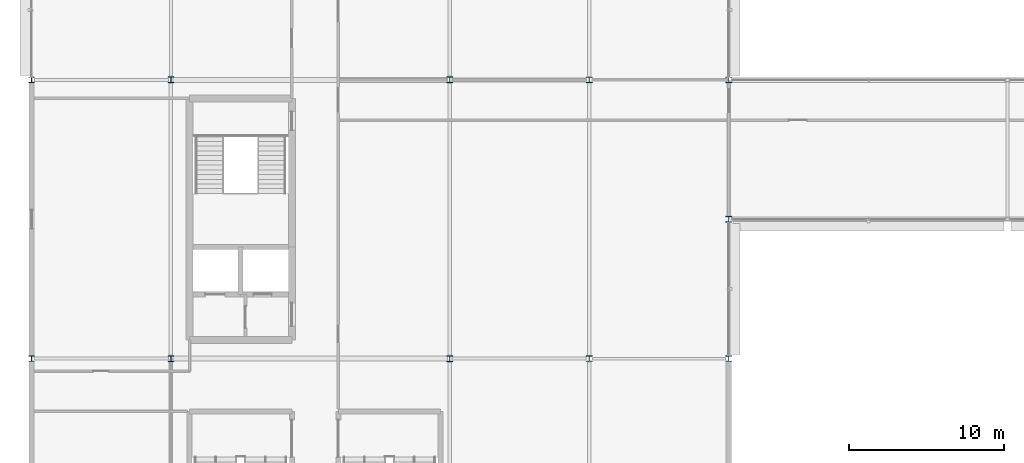
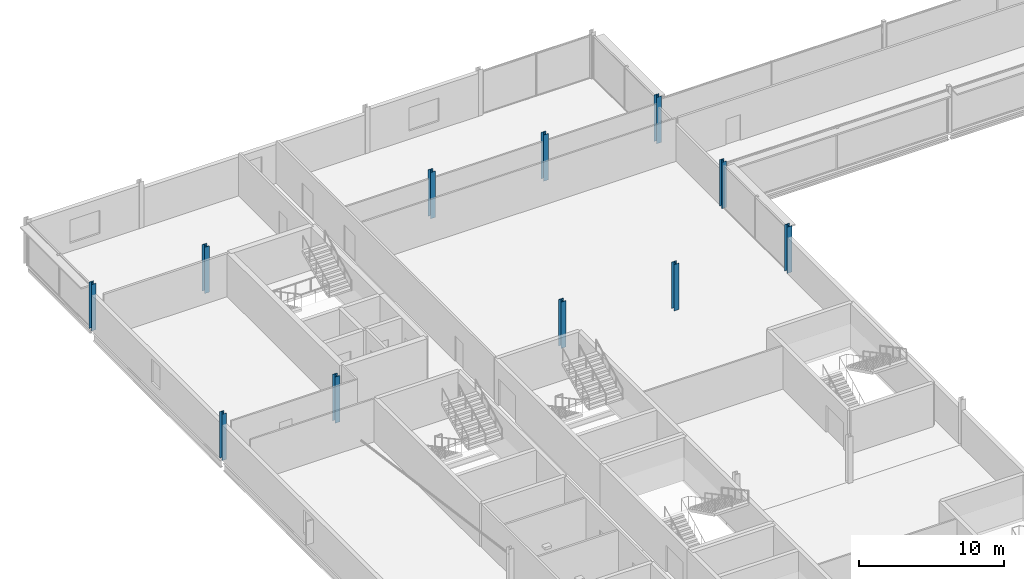
# One storey, part 5 of 98: 11 columns.
"""IFC4 building model written with IfcOpenShell, lengths in metres."""

from ifc_helpers import new_model, si_unit, direction, frame, origin, origin_2d, place, context, subcontext, project, spatial, i_section, extrude, material, material_profile, profile_set, type_object, element, save


model = new_model("IFC4")

# Units and contexts
model_context = context("Model", 3, precision=1e-05, world=origin(), true_north=direction((0.0, 1.0)))
body_context = subcontext(model_context, "Body", "Model", "MODEL_VIEW")
ifc_project = project(units=[si_unit("LENGTHUNIT", "METRE"), si_unit("AREAUNIT", "SQUARE_METRE"), si_unit("VOLUMEUNIT", "CUBIC_METRE"), si_unit("PLANEANGLEUNIT", "RADIAN"), si_unit("MASSUNIT", "GRAM", prefix="KILO")], contexts=[model_context])

# Site, building, storey
site_placement = place(None, origin())
site = spatial("IfcSite", under=ifc_project, at=site_placement, CompositionType="ELEMENT")
building_placement = place(site_placement, origin())
building = spatial("IfcBuilding", under=site, at=building_placement, Name="Kisiwana Market Hall", CompositionType="ELEMENT")
storey_placement = place(building_placement, frame((0.0, 0.0, 29.39990234375)))
storey = spatial("IfcBuildingStorey", under=building, at=storey_placement, Name="L06", CompositionType="ELEMENT", Elevation=29.39990234375)

# Columns
ifc_material_1 = material(Name="Steel S355", Category="steel")
ifc_material_profile_1 = material_profile(ifc_material_1, i_section(OverallWidth=0.37060546875, OverallDepth=0.362060546875, WebThickness=0.01220703125, FlangeThickness=0.020751953125, at=origin_2d()), Name="UC 356x368x153")
ifc_profile_set_1 = profile_set([ifc_material_profile_1], Name="Steel S355")
column_type_1 = type_object("IfcColumnType", Name="COL-STL-UC153", PredefinedType="COLUMN", material=ifc_profile_set_1)
for number, where, z_axis, x_axis, name in (
    (1, (0.0, 84.0, 0.0), (0.0, 0.0, 1.0), (1.0, 0.0, 0.0), "Column L/1 (L06) C-0980"),
    (2, (0.0, 102.0, 0.0), (0.0, 0.0, 1.0), (1.0, 0.0, 0.0), "Column N/1 (L06) C-0981"),
    (3, (36.0, 84.0, 0.0), (0.0, 0.0, 1.0), (1.0, 0.0, 0.0), "Column L/5 (L06) C-0999"),
    (4, (36.0, 102.0, 0.0), (0.0, 0.0, 1.0), (1.0, 0.0, 0.0), "Column N/5 (L06) C-1000"),
    (5, (45.0, 84.0, 0.0), (0.0, 0.0, 1.0), (1.0, 0.0, 0.0), "Column L/6 (L06) C-1007"),
    (6, (45.0, 93.0, 0.0), (0.0, 0.0, 1.0), (1.0, 0.0, 0.0), "Column M/6 (L06) C-1008"),
    (7, (45.0, 102.0, 0.0), (0.0, 0.0, 1.0), (1.0, 0.0, 0.0), "Column N/6 (L06) C-1009"),
):
    element("IfcColumn", number, at=place(storey_placement, frame(where, z_axis=z_axis, x_axis=x_axis)), inside=storey, type_object=column_type_1, Name=name, PredefinedType="COLUMN", context=body_context, shape_type="SweptSolid", body=[
        extrude(i_section(OverallWidth=0.37060546875, OverallDepth=0.362060546875, WebThickness=0.01220703125, FlangeThickness=0.020751953125, at=origin_2d()), origin(), (0.0, 0.0, 1.0), 3.900146484375),
    ])
ifc_material_2 = material(Name="Steel S355", Category="steel")
ifc_material_profile_2 = material_profile(ifc_material_2, i_section(OverallWidth=0.374755859375, OverallDepth=0.37451171875, WebThickness=0.0166015625, FlangeThickness=0.027099609375, at=origin_2d()), Name="UC 356x368x202")
ifc_profile_set_2 = profile_set([ifc_material_profile_2], Name="Steel S355")
column_type_2 = type_object("IfcColumnType", Name="COL-STL-UC202", PredefinedType="COLUMN", material=ifc_profile_set_2)
for number, where, z_axis, x_axis, name in (
    (8, (9.0, 84.0, 0.0), (0.0, 0.0, 1.0), (1.0, 0.0, 0.0), "Column L/2 (L06) C-0986"),
    (9, (9.0, 102.0, 0.0), (0.0, 0.0, 1.0), (1.0, 0.0, 0.0), "Column N/2 (L06) C-0987"),
    (10, (27.0, 84.0, 0.0), (0.0, 0.0, 1.0), (1.0, 0.0, 0.0), "Column L/4 (L06) C-0993"),
    (11, (27.0, 102.0, 0.0), (0.0, 0.0, 1.0), (1.0, 0.0, 0.0), "Column N/4 (L06) C-0994"),
):
    element("IfcColumn", number, at=place(storey_placement, frame(where, z_axis=z_axis, x_axis=x_axis)), inside=storey, type_object=column_type_2, Name=name, PredefinedType="COLUMN", context=body_context, shape_type="SweptSolid", body=[
        extrude(i_section(OverallWidth=0.374755859375, OverallDepth=0.37451171875, WebThickness=0.0166015625, FlangeThickness=0.027099609375, at=origin_2d()), origin(), (0.0, 0.0, 1.0), 3.900146484375),
    ])

save(model, "model.ifc")
